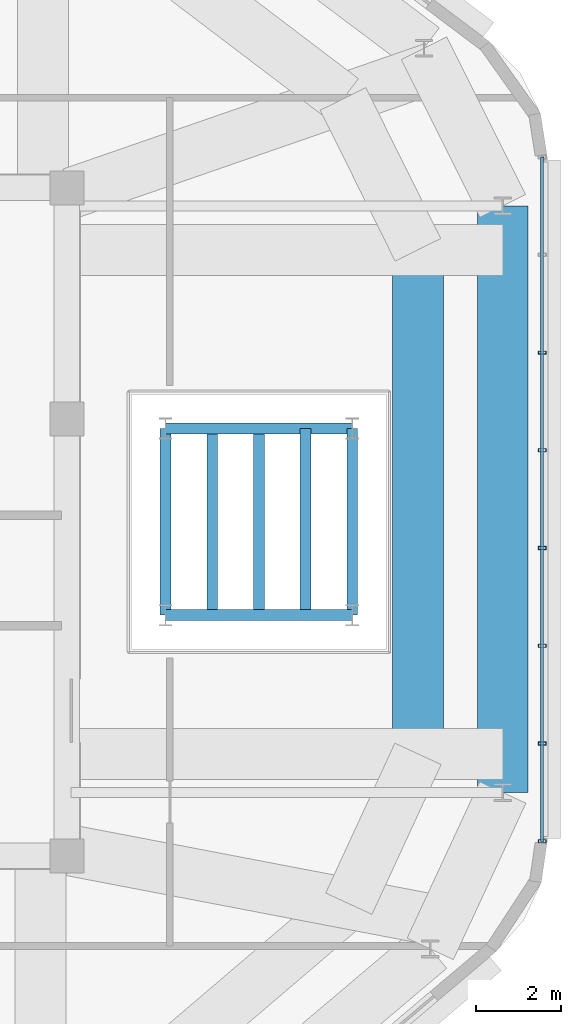
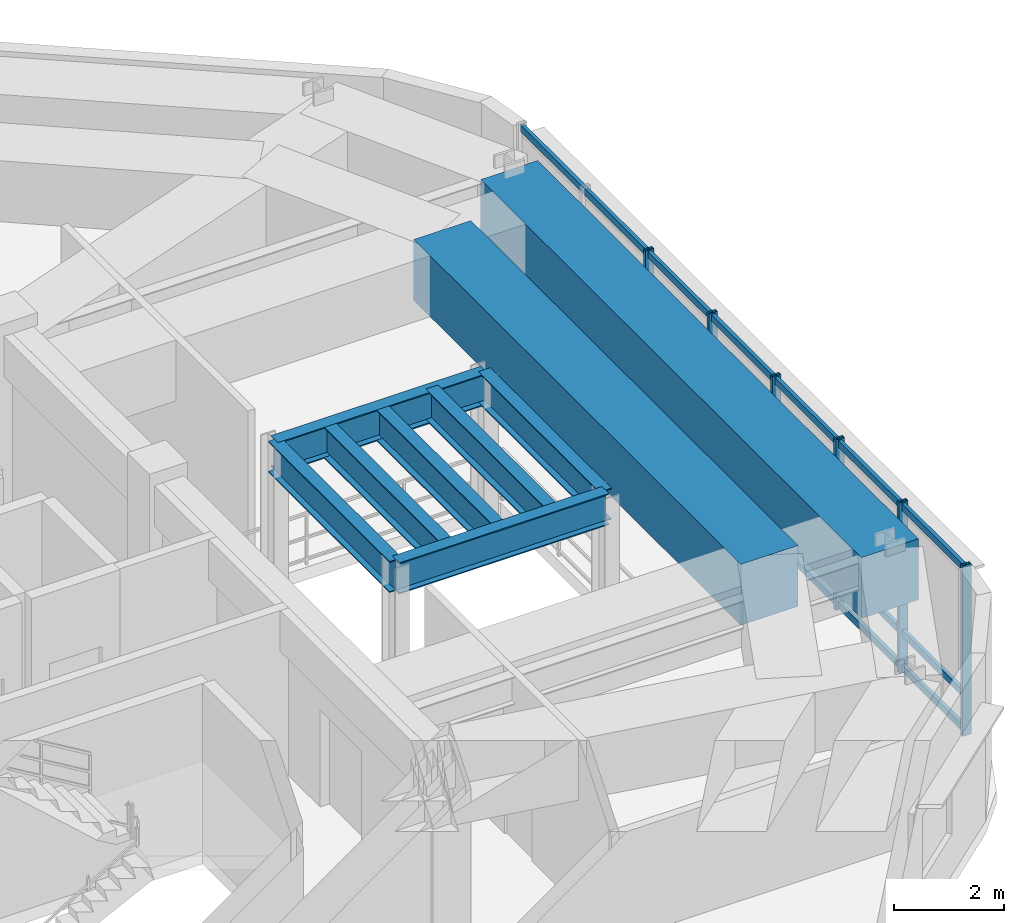
# One storey, part 7 of 17: 9 beams, 9 members, 1 element without a shape of its own.
"""IFC4 building model written with IfcOpenShell, lengths in metres."""

from ifc_helpers import new_model, si_unit, direction, frame, origin, origin_2d, place, context, subcontext, project, spatial, rectangle, hollow_rectangle, i_section, extrude, material, material_profile, profile_set, type_object, element, aggregate, save


model = new_model("IFC4")

# Units and contexts
model_context = context("Model", 3, precision=1e-05, world=origin(), true_north=direction((0.0, 1.0)))
body_context = subcontext(model_context, "Body", "Model", "MODEL_VIEW")
ifc_project = project(units=[si_unit("LENGTHUNIT", "METRE"), si_unit("AREAUNIT", "SQUARE_METRE"), si_unit("VOLUMEUNIT", "CUBIC_METRE"), si_unit("PLANEANGLEUNIT", "RADIAN"), si_unit("MASSUNIT", "GRAM", prefix="KILO")], contexts=[model_context])

# Site, building, storey
site_placement = place(None, origin())
site = spatial("IfcSite", under=ifc_project, at=site_placement, CompositionType="ELEMENT")
building_placement = place(site_placement, origin())
building = spatial("IfcBuilding", under=site, at=building_placement, Name="Zulverin Broadcast Headquarters", CompositionType="ELEMENT")
storey_placement = place(building_placement, frame((0.0, 0.0, 317.39990234375)))
storey = spatial("IfcBuildingStorey", under=building, at=storey_placement, Name="C2", CompositionType="ELEMENT", Elevation=317.39990234375)

# Beams
ifc_material_1 = material(Name="Concrete C50/60", Category="concrete")
ifc_material_profile_1 = material_profile(ifc_material_1, rectangle(XDim=1.199951171875, YDim=1.35009765625, at=origin_2d()), Name="Concrete C50/60", Category="concrete")
ifc_profile_set_1 = profile_set([ifc_material_profile_1], Name="Concrete C50/60")
beam_type_1 = type_object("IfcBeamType", Name="BM-TG-CRN-1350", PredefinedType="USERDEFINED", material=ifc_profile_set_1)
beam_1_placement = place(storey_placement, frame((58.550048828125, 18.819580078125, 3.045166015625), z_axis=(0.0, 1.0, 0.0), x_axis=(-1.0, 0.0, 0.0)))
element("IfcBeam", 1, at=beam_1_placement, inside=storey, type_object=beam_type_1, Name="C2 Perimeter Transfer Ring Girder SP-05", ObjectType="TRANSFER GIRDER", PredefinedType="USERDEFINED", context=body_context, shape_type="SweptSolid", body=[
    extrude(rectangle(XDim=1.199951171875, YDim=1.35009765625, at=origin_2d()), origin(), (0.0, 0.0, 1.0), 13.82861328125),
])
beam_2_placement = place(storey_placement, frame((56.550048828125, 19.72998046875, 3.045166015625), z_axis=(0.0, 1.0, 0.0), x_axis=(-1.0, 0.0, 0.0)))
element("IfcBeam", 2, at=beam_2_placement, inside=storey, type_object=beam_type_1, Name="C3 Step Transfer Ring Girder TGR-05", ObjectType="TRANSFER GIRDER", PredefinedType="USERDEFINED", context=body_context, shape_type="SweptSolid", body=[
    extrude(rectangle(XDim=1.199951171875, YDim=1.35009765625, at=origin_2d()), origin(), (0.0, 0.0, 1.0), 11.883056640625),
])
ifc_material_2 = material(Name="Structural steel S355JR", Category="steel")
ifc_material_profile_2 = material_profile(ifc_material_2, i_section(OverallWidth=0.255859375, OverallDepth=0.69287109375, WebThickness=0.014404296875, FlangeThickness=0.023681640625, at=origin_2d()), Name="Structural steel S355JR", Category="steel")
ifc_profile_set_2 = profile_set([ifc_material_profile_2], Name="Structural steel S355JR")
beam_type_2 = type_object("IfcBeamType", Name="BM-UB-686", PredefinedType="BEAM", material=ifc_profile_set_2)
for number, where, z_axis, x_axis, name in (
    (3, (50.60009765625, 23.0, 3.373779296875), (1.0, 0.0, 0.0), (0.0, 1.0, 0.0), "Tuned Mass Damper Suspension Girder 1"),
    (4, (50.60009765625, 27.39990234375, 3.373779296875), (1.0, 0.0, 0.0), (0.0, 1.0, 0.0), "Tuned Mass Damper Suspension Girder 2"),
    (5, (50.60009765625, 23.0, 3.373779296875), (0.0, 1.0, 0.0), (-1.0, 0.0, 0.0), "Tuned Mass Damper Suspension Girder 3"),
    (6, (55.0, 23.0, 3.373779296875), (0.0, 1.0, 0.0), (-1.0, 0.0, 0.0), "Tuned Mass Damper Suspension Girder 4"),
    (7, (51.699951171875, 23.0, 3.373779296875), (0.0, 1.0, 0.0), (-1.0, 0.0, 0.0), "Tuned Mass Damper Suspension Girder 5"),
    (8, (53.89990234375, 23.0, 3.373779296875), (0.0, 1.0, 0.0), (-1.0, 0.0, 0.0), "Tuned Mass Damper Suspension Girder 6"),
    (9, (52.800048828125, 23.0, 3.373779296875), (0.0, 1.0, 0.0), (-1.0, 0.0, 0.0), "Tuned Mass Damper Suspension Girder 7"),
):
    element("IfcBeam", number, at=place(storey_placement, frame(where, z_axis=z_axis, x_axis=x_axis)), inside=storey, type_object=beam_type_2, Name=name, PredefinedType="BEAM", context=body_context, shape_type="SweptSolid", body=[
        extrude(i_section(OverallWidth=0.255859375, OverallDepth=0.69287109375, WebThickness=0.014404296875, FlangeThickness=0.023681640625, at=origin_2d()), origin(), (0.0, 0.0, 1.0), 4.39990234375),
    ])

# Curtain wall, members
ifc_material_3 = material(Name="Crown damper-hall structural glass curtain wall", Category="glass")
curtain_wall_type = type_object("IfcCurtainWallType", Name="CW-CRN", PredefinedType="USERDEFINED", material=ifc_material_3)
curtain_wall_placement = place(storey_placement, origin())
curtain_wall = element("IfcCurtainWall", 10, at=curtain_wall_placement, inside=storey, type_object=curtain_wall_type, Name="C2 Unitised Curtain Wall CW-C2-E3", ObjectType="UNITISED CURTAIN WALL", PredefinedType="USERDEFINED")
ifc_material_4 = material(Name="Anodized pale-metal aluminium alloy 6063-T6", Category="aluminium")
ifc_material_profile_3 = material_profile(ifc_material_4, hollow_rectangle(XDim=0.074951171875, YDim=0.179931640625, WallThickness=0.0048828125, at=origin_2d()), Name="Anodized pale-metal aluminium alloy 6063-T6", Category="aluminium")
ifc_profile_set_3 = profile_set([ifc_material_profile_3], Name="Anodized pale-metal aluminium alloy 6063-T6")
member_type_1 = type_object("IfcMemberType", Name="CW-MUL-180", PredefinedType="MULLION", material=ifc_profile_set_3)
member_1_placement = place(storey_placement, frame((59.47998046875, 17.669677734375, -0.02978515625), z_axis=(0.0, 0.0, 1.0), x_axis=(0.0, 1.0, 0.0)))
member_1 = element("IfcMember", 11, at=member_1_placement, type_object=member_type_1, Name="CW-C2-E3 Mullion 00", PredefinedType="MULLION", context=body_context, shape_type="SweptSolid", body=[
    extrude(hollow_rectangle(XDim=0.074951171875, YDim=0.179931640625, WallThickness=0.0048828125, at=origin_2d()), origin(), (0.0, 0.0, 1.0), 3.77978515625),
])
member_2_placement = place(storey_placement, frame((59.47998046875, 19.9736328125, -0.02978515625), z_axis=(0.0, 0.0, 1.0), x_axis=(0.0, 1.0, 0.0)))
member_2 = element("IfcMember", 12, at=member_2_placement, type_object=member_type_1, Name="CW-C2-E3 Mullion 01", PredefinedType="MULLION", context=body_context, shape_type="SweptSolid", body=[
    extrude(hollow_rectangle(XDim=0.074951171875, YDim=0.179931640625, WallThickness=0.0048828125, at=origin_2d()), origin(), (0.0, 0.0, 1.0), 3.77978515625),
])
member_3_placement = place(storey_placement, frame((59.47998046875, 22.27783203125, -0.02978515625), z_axis=(0.0, 0.0, 1.0), x_axis=(0.0, 1.0, 0.0)))
member_3 = element("IfcMember", 13, at=member_3_placement, type_object=member_type_1, Name="CW-C2-E3 Mullion 02", PredefinedType="MULLION", context=body_context, shape_type="SweptSolid", body=[
    extrude(hollow_rectangle(XDim=0.074951171875, YDim=0.179931640625, WallThickness=0.0048828125, at=origin_2d()), origin(), (0.0, 0.0, 1.0), 3.77978515625),
])
member_4_placement = place(storey_placement, frame((59.47998046875, 24.581787109375, -0.02978515625), z_axis=(0.0, 0.0, 1.0), x_axis=(0.0, 1.0, 0.0)))
member_4 = element("IfcMember", 14, at=member_4_placement, type_object=member_type_1, Name="CW-C2-E3 Mullion 03", PredefinedType="MULLION", context=body_context, shape_type="SweptSolid", body=[
    extrude(hollow_rectangle(XDim=0.074951171875, YDim=0.179931640625, WallThickness=0.0048828125, at=origin_2d()), origin(), (0.0, 0.0, 1.0), 3.77978515625),
])
member_5_placement = place(storey_placement, frame((59.47998046875, 26.885986328125, -0.02978515625), z_axis=(0.0, 0.0, 1.0), x_axis=(0.0, 1.0, 0.0)))
member_5 = element("IfcMember", 15, at=member_5_placement, type_object=member_type_1, Name="CW-C2-E3 Mullion 04", PredefinedType="MULLION", context=body_context, shape_type="SweptSolid", body=[
    extrude(hollow_rectangle(XDim=0.074951171875, YDim=0.179931640625, WallThickness=0.0048828125, at=origin_2d()), origin(), (0.0, 0.0, 1.0), 3.77978515625),
])
member_6_placement = place(storey_placement, frame((59.47998046875, 29.190185546875, -0.02978515625), z_axis=(0.0, 0.0, 1.0), x_axis=(0.0, 1.0, 0.0)))
member_6 = element("IfcMember", 16, at=member_6_placement, type_object=member_type_1, Name="CW-C2-E3 Mullion 05", PredefinedType="MULLION", context=body_context, shape_type="SweptSolid", body=[
    extrude(hollow_rectangle(XDim=0.074951171875, YDim=0.179931640625, WallThickness=0.0048828125, at=origin_2d()), origin(), (0.0, 0.0, 1.0), 3.77978515625),
])
ifc_material_profile_4 = material_profile(ifc_material_4, hollow_rectangle(XDim=0.074951171875, YDim=0.14990234375, WallThickness=0.0048828125, at=origin_2d()), Name="Anodized pale-metal aluminium alloy 6063-T6", Category="aluminium")
ifc_profile_set_4 = profile_set([ifc_material_profile_4], Name="Anodized pale-metal aluminium alloy 6063-T6")
member_type_2 = type_object("IfcMemberType", Name="CW-TRN-150", PredefinedType="USERDEFINED", material=ifc_profile_set_4)
member_7_placement = place(storey_placement, frame((59.47998046875, 17.669677734375, 0.0751953125), z_axis=(0.0, 1.0, 0.0), x_axis=(-1.0, 0.0, 0.0)))
member_7 = element("IfcMember", 17, at=member_7_placement, type_object=member_type_2, Name="CW-C2-E3 Transom 0", ObjectType="TRANSOM", PredefinedType="USERDEFINED", context=body_context, shape_type="SweptSolid", body=[
    extrude(hollow_rectangle(XDim=0.074951171875, YDim=0.14990234375, WallThickness=0.0048828125, at=origin_2d()), origin(), (0.0, 0.0, 1.0), 16.128662109375),
])
member_8_placement = place(storey_placement, frame((59.47998046875, 17.669677734375, 0.85009765625), z_axis=(0.0, 1.0, 0.0), x_axis=(-1.0, 0.0, 0.0)))
member_8 = element("IfcMember", 18, at=member_8_placement, type_object=member_type_2, Name="CW-C2-E3 Transom 1", ObjectType="TRANSOM", PredefinedType="USERDEFINED", context=body_context, shape_type="SweptSolid", body=[
    extrude(hollow_rectangle(XDim=0.074951171875, YDim=0.14990234375, WallThickness=0.0048828125, at=origin_2d()), origin(), (0.0, 0.0, 1.0), 16.128662109375),
])
member_9_placement = place(storey_placement, frame((59.47998046875, 17.669677734375, 3.64501953125), z_axis=(0.0, 1.0, 0.0), x_axis=(-1.0, 0.0, 0.0)))
member_9 = element("IfcMember", 19, at=member_9_placement, type_object=member_type_2, Name="CW-C2-E3 Transom 2", ObjectType="TRANSOM", PredefinedType="USERDEFINED", context=body_context, shape_type="SweptSolid", body=[
    extrude(hollow_rectangle(XDim=0.074951171875, YDim=0.14990234375, WallThickness=0.0048828125, at=origin_2d()), origin(), (0.0, 0.0, 1.0), 16.128662109375),
])
aggregate(curtain_wall, [member_1, member_2, member_3, member_4, member_5, member_6, member_7, member_8, member_9])

save(model, "model.ifc")
